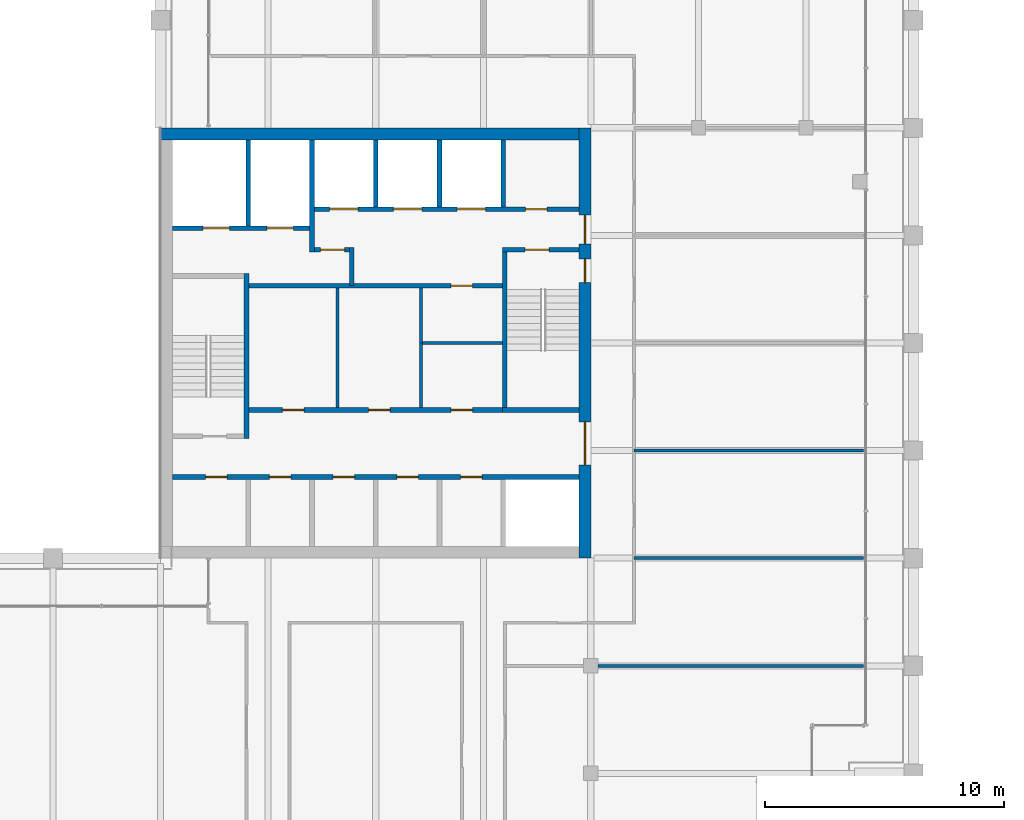
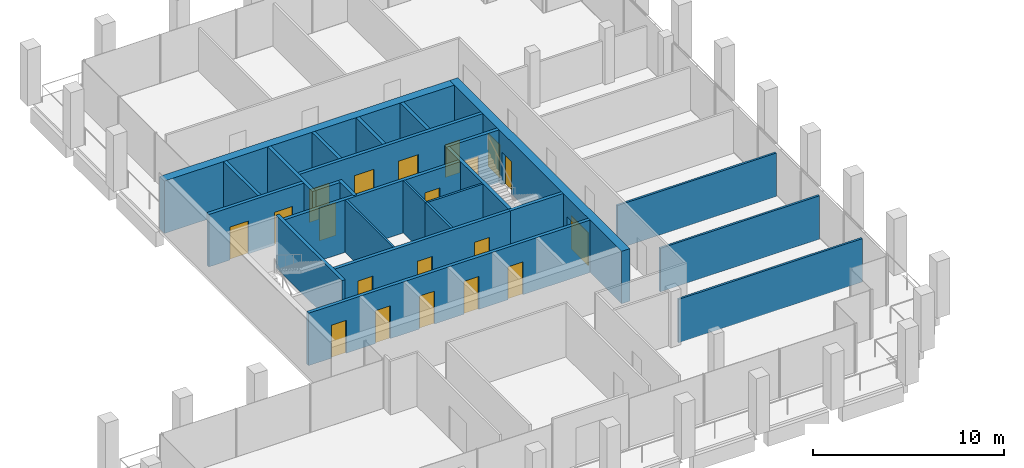
# One storey, part 55 of 62: 25 walls, 20 doors, 20 openings.
"""IFC4 building model written with IfcOpenShell, lengths in metres."""

from ifc_helpers import new_model, si_unit, direction, frame, frame_2d, origin, place, context, subcontext, project, spatial, rectangle, extrude, material, layer, layer_set, type_object, element, fill, save


model = new_model("IFC4")

# Units and contexts
model_context = context("Model", 3, precision=1e-05, world=origin(), true_north=direction((0.0, 1.0)))
body_context = subcontext(model_context, "Body", "Model", "MODEL_VIEW")
ifc_project = project(units=[si_unit("LENGTHUNIT", "METRE"), si_unit("AREAUNIT", "SQUARE_METRE"), si_unit("VOLUMEUNIT", "CUBIC_METRE"), si_unit("PLANEANGLEUNIT", "RADIAN"), si_unit("MASSUNIT", "GRAM", prefix="KILO")], contexts=[model_context])

# Site, building, storey
site_placement = place(None, origin())
site = spatial("IfcSite", under=ifc_project, at=site_placement, CompositionType="ELEMENT")
building_placement = place(site_placement, origin())
building = spatial("IfcBuilding", under=site, at=building_placement, Name="Altepetl Exchange Towers", CompositionType="ELEMENT")
storey_placement = place(building_placement, frame((0.0, 0.0, 210.0)))
storey = spatial("IfcBuildingStorey", under=building, at=storey_placement, Name="L53", CompositionType="ELEMENT", Elevation=210.0)

# Wall, openings, doors
ifc_material_1 = material(Name="Concrete C70/85", Category="concrete")
ifc_layer_1 = layer(ifc_material_1, 0.5)
ifc_layer_set_1 = layer_set([ifc_layer_1], Name="Concrete C70/85")
wall_type_1 = type_object("IfcWallType", Name="Core wall 500 reinforced concrete", PredefinedType="SHEAR", material=ifc_layer_set_1)
wall_1_placement = place(storey_placement, frame((58.25, 40.5, 0.0), z_axis=(0.0, 0.0, 1.0), x_axis=(0.0, 1.0, 0.0)))
wall_1 = element("IfcWall", 1, at=wall_1_placement, inside=storey, type_object=wall_type_1, Name="wall:A:L53:K-coreE", PredefinedType="SHEAR", context=body_context, shape_type="SweptSolid", body=[
    extrude(rectangle(XDim=18.0, YDim=0.5, at=frame_2d((9.0, 0.0))), origin(), (0.0, 0.0, 1.0), 3.35009765625),
])
opening_1_placement = place(wall_1_placement, frame((13.14990234375, 0.0, 0.0)))
opening_1 = element("IfcOpeningElement", 2, at=opening_1_placement, cuts=wall_1, Name="Opening L53.A60", PredefinedType="OPENING", context=body_context, shape_type="SweptSolid", body=[
    extrude(rectangle(XDim=1.199951171875, YDim=2.10009765625, at=frame_2d((0.60009765625, 1.050048828125))), frame((0.0, 0.260009765625, 0.0), z_axis=(0.0, -1.0, 0.0), x_axis=(1.0, 0.0, 0.0)), (0.0, 0.0, 1.0), 0.52001953125),
])
opening_2_placement = place(wall_1_placement, frame((3.89990234375, 0.0, 0.0)))
opening_2 = element("IfcOpeningElement", 3, at=opening_2_placement, cuts=wall_1, Name="Opening L53.A61", PredefinedType="OPENING", context=body_context, shape_type="SweptSolid", body=[
    extrude(rectangle(XDim=1.800048828125, YDim=2.10009765625, at=frame_2d((0.89990234375, 1.050048828125))), frame((0.0, 0.260009765625, 0.0), z_axis=(0.0, -1.0, 0.0), x_axis=(1.0, 0.0, 0.0)), (0.0, 0.0, 1.0), 0.52001953125),
])
opening_3_placement = place(wall_1_placement, frame((11.52490234375, 0.0, 0.0)))
opening_3 = element("IfcOpeningElement", 4, at=opening_3_placement, cuts=wall_1, Name="Opening L53.A64", PredefinedType="OPENING", context=body_context, shape_type="SweptSolid", body=[
    extrude(rectangle(XDim=1.0, YDim=2.10009765625, at=frame_2d((0.5, 1.050048828125))), frame((0.0, 0.260009765625, 0.0), z_axis=(0.0, -1.0, 0.0), x_axis=(1.0, 0.0, 0.0)), (0.0, 0.0, 1.0), 0.52001953125),
])
ifc_material_2 = material(Name="Steel and timber fire door", Category="steel")
door_type_1 = type_object("IfcDoorType", Name="Fire door 1000 x 2100 stair and lobby", OperationType="SINGLE_SWING_LEFT", PredefinedType="DOOR", material=ifc_material_2)
door_1_placement = place(opening_3_placement, origin())
door_1 = element("IfcDoor", 5, at=door_1_placement, inside=storey, type_object=door_type_1, Name="door:A:L53:K-dS2x", OperationType="SINGLE_SWING_RIGHT", OverallHeight=2.10009765625, OverallWidth=1.0, PredefinedType="DOOR", context=body_context, shape_type="SweptSolid", body=[
    extrude(rectangle(XDim=1.0, YDim=2.10009765625, at=frame_2d((0.5, 1.050048828125))), frame((0.0, 0.02490234375, 0.0), z_axis=(0.0, -1.0, 0.0), x_axis=(1.0, 0.0, 0.0)), (0.0, 0.0, 1.0), 0.050048828125),
])
fill(opening_3, door_1)
door_type_2 = type_object("IfcDoorType", Name="Fire door 1200 x 2100 lobby entry", OperationType="SINGLE_SWING_LEFT", PredefinedType="DOOR", material=ifc_material_2)
door_2_placement = place(opening_1_placement, origin())
door_2 = element("IfcDoor", 6, at=door_2_placement, inside=storey, type_object=door_type_2, Name="door:A:L53:K-dLNE", OperationType="SINGLE_SWING_RIGHT", OverallHeight=2.10009765625, OverallWidth=1.199951171875, PredefinedType="DOOR", context=body_context, shape_type="SweptSolid", body=[
    extrude(rectangle(XDim=1.199951171875, YDim=2.10009765625, at=frame_2d((0.60009765625, 1.050048828125))), frame((0.0, 0.02490234375, 0.0), z_axis=(0.0, -1.0, 0.0), x_axis=(1.0, 0.0, 0.0)), (0.0, 0.0, 1.0), 0.050048828125),
])
fill(opening_1, door_2)
door_type_3 = type_object("IfcDoorType", Name="Fire door 1800 x 2100 lobby entry", OperationType="DOUBLE_DOOR_SINGLE_SWING", PredefinedType="DOOR", material=ifc_material_2)
door_3_placement = place(opening_2_placement, origin())
door_3 = element("IfcDoor", 7, at=door_3_placement, inside=storey, type_object=door_type_3, Name="door:A:L53:K-dLSE", OperationType="DOUBLE_DOOR_SINGLE_SWING", OverallHeight=2.10009765625, OverallWidth=1.800048828125, PredefinedType="DOOR", context=body_context, shape_type="SweptSolid", body=[
    extrude(rectangle(XDim=1.800048828125, YDim=2.10009765625, at=frame_2d((0.89990234375, 1.050048828125))), frame((0.0, 0.02490234375, 0.0), z_axis=(0.0, -1.0, 0.0), x_axis=(1.0, 0.0, 0.0)), (0.0, 0.0, 1.0), 0.050048828125),
])
fill(opening_2, door_3)

# Walls
wall_2_placement = place(storey_placement, frame((40.5, 58.25, 0.0)))
element("IfcWall", 8, at=wall_2_placement, inside=storey, type_object=wall_type_1, Name="wall:A:L53:K-coreN", PredefinedType="SHEAR", context=body_context, shape_type="SweptSolid", body=[
    extrude(rectangle(XDim=17.5, YDim=0.5, at=frame_2d((8.75, 0.0))), origin(), (0.0, 0.0, 1.0), 3.35009765625),
])
ifc_material_3 = material(Name="Concrete blockwork", Category="masonry")
ifc_layer_2 = layer(ifc_material_3, 0.199951171875)
ifc_layer_set_2 = layer_set([ifc_layer_2], Name="Concrete blockwork")
wall_type_2 = type_object("IfcWallType", Name="Lobby wall 200 blockwork", PredefinedType="PARTITIONING", material=ifc_layer_set_2)
wall_3_placement = place(storey_placement, frame((48.5, 51.89990234375, 0.0), z_axis=(0.0, 0.0, 1.0), x_axis=(0.0, 1.0, 0.0)))
element("IfcWall", 9, at=wall_3_placement, inside=storey, type_object=wall_type_2, Name="wall:A:L53:K-ffE", PredefinedType="PARTITIONING", context=body_context, shape_type="SweptSolid", body=[
    extrude(rectangle(XDim=1.60009765625, YDim=0.199951171875, at=frame_2d((0.800048828125, 0.0))), origin(), (0.0, 0.0, 1.0), 3.35009765625),
])

# Wall, opening, door
wall_4_placement = place(storey_placement, frame((46.933349609375, 53.39990234375, 0.0)))
wall_4 = element("IfcWall", 10, at=wall_4_placement, inside=storey, type_object=wall_type_2, Name="wall:A:L53:K-ffN", PredefinedType="PARTITIONING", context=body_context, shape_type="SweptSolid", body=[
    extrude(rectangle(XDim=1.466552734375, YDim=0.199951171875, at=frame_2d((0.7333984375, 0.0))), origin(), (0.0, 0.0, 1.0), 3.35009765625),
])
opening_4_placement = place(wall_4_placement, frame((0.2666015625, 0.0, 0.0)))
opening_4 = element("IfcOpeningElement", 11, at=opening_4_placement, cuts=wall_4, Name="Opening L53.A65", PredefinedType="OPENING", context=body_context, shape_type="SweptSolid", body=[
    extrude(rectangle(XDim=1.0, YDim=2.10009765625, at=frame_2d((0.5, 1.050048828125))), frame((0.0, 0.10986328125, 0.0), z_axis=(0.0, -1.0, 0.0), x_axis=(1.0, 0.0, 0.0)), (0.0, 0.0, 1.0), 0.219970703125),
])
door_4_placement = place(opening_4_placement, frame((1.0, 0.0, 0.0), x_axis=(-1.0, 0.0, 0.0)))
door_4 = element("IfcDoor", 12, at=door_4_placement, inside=storey, type_object=door_type_1, Name="door:A:L53:K-dffN", OperationType="SINGLE_SWING_RIGHT", OverallHeight=2.10009765625, OverallWidth=1.0, PredefinedType="DOOR", context=body_context, shape_type="SweptSolid", body=[
    extrude(rectangle(XDim=1.0, YDim=2.10009765625, at=frame_2d((0.5, 1.050048828125))), frame((0.0, 0.02490234375, 0.0), z_axis=(0.0, -1.0, 0.0), x_axis=(1.0, 0.0, 0.0)), (0.0, 0.0, 1.0), 0.050048828125),
])
fill(opening_4, door_4)

wall_5_placement = place(storey_placement, frame((44.199951171875, 51.89990234375, 0.0)))
wall_5 = element("IfcWall", 13, at=wall_5_placement, inside=storey, type_object=wall_type_2, Name="wall:A:L53:K-zoneN", PredefinedType="PARTITIONING", context=body_context, shape_type="SweptSolid", body=[
    extrude(rectangle(XDim=10.60009765625, YDim=0.199951171875, at=frame_2d((5.300048828125, 0.0))), origin(), (0.0, 0.0, 1.0), 3.35009765625),
])
opening_5_placement = place(wall_5_placement, frame((8.449951171875, 0.0, 0.0)))
opening_5 = element("IfcOpeningElement", 14, at=opening_5_placement, cuts=wall_5, Name="Opening L53.A75", PredefinedType="OPENING", context=body_context, shape_type="SweptSolid", body=[
    extrude(rectangle(XDim=0.89990234375, YDim=2.10009765625, at=frame_2d((0.449951171875, 1.050048828125))), frame((0.0, 0.10986328125, 0.0), z_axis=(0.0, -1.0, 0.0), x_axis=(1.0, 0.0, 0.0)), (0.0, 0.0, 1.0), 0.219970703125),
])
door_type_4 = type_object("IfcDoorType", Name="Fire door 900 x 2100 service room", OperationType="SINGLE_SWING_LEFT", PredefinedType="DOOR", material=ifc_material_2)
door_5_placement = place(opening_5_placement, frame((0.89990234375, 0.0, 0.0), x_axis=(-1.0, 0.0, 0.0)))
door_5 = element("IfcDoor", 15, at=door_5_placement, inside=storey, type_object=door_type_4, Name="door:A:L53:K-dz4", OperationType="SINGLE_SWING_LEFT", OverallHeight=2.10009765625, OverallWidth=0.89990234375, PredefinedType="DOOR", context=body_context, shape_type="SweptSolid", body=[
    extrude(rectangle(XDim=0.89990234375, YDim=2.10009765625, at=frame_2d((0.449951171875, 1.050048828125))), frame((0.0, 0.02490234375, 0.0), z_axis=(0.0, -1.0, 0.0), x_axis=(1.0, 0.0, 0.0)), (0.0, 0.0, 1.0), 0.050048828125),
])
fill(opening_5, door_5)

# Wall, openings, doors
wall_6_placement = place(storey_placement, frame((44.199951171875, 46.699951171875, 0.0)))
wall_6 = element("IfcWall", 16, at=wall_6_placement, inside=storey, type_object=wall_type_2, Name="wall:A:L53:K-zoneS", PredefinedType="PARTITIONING", context=body_context, shape_type="SweptSolid", body=[
    extrude(rectangle(XDim=10.60009765625, YDim=0.199951171875, at=frame_2d((5.300048828125, 0.0))), origin(), (0.0, 0.0, 1.0), 3.35009765625),
])
opening_6_placement = place(wall_6_placement, frame((1.39990234375, 0.0, 0.0)))
opening_6 = element("IfcOpeningElement", 17, at=opening_6_placement, cuts=wall_6, Name="Opening L53.A72", PredefinedType="OPENING", context=body_context, shape_type="SweptSolid", body=[
    extrude(rectangle(XDim=0.89990234375, YDim=2.10009765625, at=frame_2d((0.449951171875, 1.050048828125))), frame((0.0, 0.10986328125, 0.0), z_axis=(0.0, -1.0, 0.0), x_axis=(1.0, 0.0, 0.0)), (0.0, 0.0, 1.0), 0.219970703125),
])
opening_7_placement = place(wall_6_placement, frame((5.0, 0.0, 0.0)))
opening_7 = element("IfcOpeningElement", 18, at=opening_7_placement, cuts=wall_6, Name="Opening L53.A73", PredefinedType="OPENING", context=body_context, shape_type="SweptSolid", body=[
    extrude(rectangle(XDim=0.89990234375, YDim=2.10009765625, at=frame_2d((0.449951171875, 1.050048828125))), frame((0.0, 0.10986328125, 0.0), z_axis=(0.0, -1.0, 0.0), x_axis=(1.0, 0.0, 0.0)), (0.0, 0.0, 1.0), 0.219970703125),
])
opening_8_placement = place(wall_6_placement, frame((8.449951171875, 0.0, 0.0)))
opening_8 = element("IfcOpeningElement", 19, at=opening_8_placement, cuts=wall_6, Name="Opening L53.A74", PredefinedType="OPENING", context=body_context, shape_type="SweptSolid", body=[
    extrude(rectangle(XDim=0.89990234375, YDim=2.10009765625, at=frame_2d((0.449951171875, 1.050048828125))), frame((0.0, 0.10986328125, 0.0), z_axis=(0.0, -1.0, 0.0), x_axis=(1.0, 0.0, 0.0)), (0.0, 0.0, 1.0), 0.219970703125),
])
door_6_placement = place(opening_6_placement, origin())
door_6 = element("IfcDoor", 20, at=door_6_placement, inside=storey, type_object=door_type_4, Name="door:A:L53:K-dz1", OperationType="SINGLE_SWING_LEFT", OverallHeight=2.10009765625, OverallWidth=0.89990234375, PredefinedType="DOOR", context=body_context, shape_type="SweptSolid", body=[
    extrude(rectangle(XDim=0.89990234375, YDim=2.10009765625, at=frame_2d((0.449951171875, 1.050048828125))), frame((0.0, 0.02490234375, 0.0), z_axis=(0.0, -1.0, 0.0), x_axis=(1.0, 0.0, 0.0)), (0.0, 0.0, 1.0), 0.050048828125),
])
fill(opening_6, door_6)
door_7_placement = place(opening_7_placement, origin())
door_7 = element("IfcDoor", 21, at=door_7_placement, inside=storey, type_object=door_type_4, Name="door:A:L53:K-dz2", OperationType="SINGLE_SWING_RIGHT", OverallHeight=2.10009765625, OverallWidth=0.89990234375, PredefinedType="DOOR", context=body_context, shape_type="SweptSolid", body=[
    extrude(rectangle(XDim=0.89990234375, YDim=2.10009765625, at=frame_2d((0.449951171875, 1.050048828125))), frame((0.0, 0.02490234375, 0.0), z_axis=(0.0, -1.0, 0.0), x_axis=(1.0, 0.0, 0.0)), (0.0, 0.0, 1.0), 0.050048828125),
])
fill(opening_7, door_7)
door_8_placement = place(opening_8_placement, origin())
door_8 = element("IfcDoor", 22, at=door_8_placement, inside=storey, type_object=door_type_4, Name="door:A:L53:K-dz3", OperationType="SINGLE_SWING_RIGHT", OverallHeight=2.10009765625, OverallWidth=0.89990234375, PredefinedType="DOOR", context=body_context, shape_type="SweptSolid", body=[
    extrude(rectangle(XDim=0.89990234375, YDim=2.10009765625, at=frame_2d((0.449951171875, 1.050048828125))), frame((0.0, 0.02490234375, 0.0), z_axis=(0.0, -1.0, 0.0), x_axis=(1.0, 0.0, 0.0)), (0.0, 0.0, 1.0), 0.050048828125),
])
fill(opening_8, door_8)

# Walls
ifc_material_4 = material(Name="Gypsum board on steel studs", Category="steel")
ifc_layer_3 = layer(ifc_material_4, 0.125)
ifc_layer_set_3 = layer_set([ifc_layer_3], Name="Gypsum board on steel studs")
wall_type_3 = type_object("IfcWallType", Name="Partition 125 gypsum board on steel studs", PredefinedType="PARTITIONING", material=ifc_layer_set_3)
wall_7_placement = place(storey_placement, frame((47.89990234375, 46.800048828125, 0.0), z_axis=(0.0, 0.0, 1.0), x_axis=(0.0, 1.0, 0.0)))
element("IfcWall", 23, at=wall_7_placement, inside=storey, type_object=wall_type_3, Name="wall:A:L53:K-zp1", PredefinedType="PARTITIONING", context=body_context, shape_type="SweptSolid", body=[
    extrude(rectangle(XDim=5.0, YDim=0.125, at=frame_2d((2.5, 0.0))), origin(), (0.0, 0.0, 1.0), 3.35009765625),
])
wall_8_placement = place(storey_placement, frame((51.39990234375, 46.800048828125, 0.0), z_axis=(0.0, 0.0, 1.0), x_axis=(0.0, 1.0, 0.0)))
element("IfcWall", 24, at=wall_8_placement, inside=storey, type_object=wall_type_3, Name="wall:A:L53:K-zp2", PredefinedType="PARTITIONING", context=body_context, shape_type="SweptSolid", body=[
    extrude(rectangle(XDim=2.762451171875, YDim=0.125, at=frame_2d((1.38134765625, 0.0))), origin(), (0.0, 0.0, 1.0), 3.35009765625),
])
wall_9_placement = place(storey_placement, frame((54.800048828125, 49.5, 0.0), z_axis=(0.0, 0.0, 1.0), x_axis=(-1.0, 0.0, 0.0)))
element("IfcWall", 25, at=wall_9_placement, inside=storey, type_object=wall_type_3, Name="wall:A:L53:K-zp3", PredefinedType="PARTITIONING", context=body_context, shape_type="SweptSolid", body=[
    extrude(rectangle(XDim=3.337646484375, YDim=0.125, at=frame_2d((1.6689453125, 0.0))), origin(), (0.0, 0.0, 1.0), 3.35009765625),
])
wall_10_placement = place(storey_placement, frame((51.39990234375, 49.5, 0.0), z_axis=(0.0, 0.0, 1.0), x_axis=(0.0, 1.0, 0.0)))
element("IfcWall", 26, at=wall_10_placement, inside=storey, type_object=wall_type_3, Name="wall:A:L53:K-zp4", PredefinedType="PARTITIONING", context=body_context, shape_type="SweptSolid", body=[
    extrude(rectangle(XDim=2.300048828125, YDim=0.125, at=frame_2d((1.14990234375, 0.0))), origin(), (0.0, 0.0, 1.0), 3.35009765625),
])
wall_11_placement = place(storey_placement, frame((58.800048828125, 36.0, 0.0)))
element("IfcWall", 27, at=wall_11_placement, inside=storey, type_object=wall_type_3, Name="wall:A:L53:P02", PredefinedType="PARTITIONING", context=body_context, shape_type="SweptSolid", body=[
    extrude(rectangle(XDim=11.099853515625, YDim=0.125, at=frame_2d((5.5498046875, 0.0))), origin(), (0.0, 0.0, 1.0), 2.77197265625),
])
for number, where, name in (
    (28, (60.300048828125, 40.5, 0.0), "wall:A:L53:P06"),
    (29, (60.300048828125, 45.0, 0.0), "wall:A:L53:P07"),
):
    element("IfcWall", number, at=place(storey_placement, frame(where)), inside=storey, type_object=wall_type_3, Name=name, PredefinedType="PARTITIONING", context=body_context, shape_type="SweptSolid", body=[
        extrude(rectangle(XDim=9.599853515625, YDim=0.125, at=frame_2d((4.7998046875, 0.0))), origin(), (0.0, 0.0, 1.0), 2.77197265625),
    ])
ifc_material_5 = material(Name="Concrete C40/50", Category="concrete")
ifc_layer_4 = layer(ifc_material_5, 0.199951171875)
ifc_layer_set_4 = layer_set([ifc_layer_4], Name="Concrete C40/50")
wall_type_4 = type_object("IfcWallType", Name="Shaft wall 200 reinforced concrete", PredefinedType="SHEAR", material=ifc_layer_set_4)
wall_12_placement = place(storey_placement, frame((44.166748046875, 58.0, 0.0), z_axis=(0.0, 0.0, 1.0), x_axis=(0.0, -1.0, 0.0)))
element("IfcWall", 30, at=wall_12_placement, inside=storey, type_object=wall_type_4, Name="wall:A:L53:K-divN1", PredefinedType="SHEAR", context=body_context, shape_type="SweptSolid", body=[
    extrude(rectangle(XDim=3.60009765625, YDim=0.199951171875, at=frame_2d((1.800048828125, 0.0))), origin(), (0.0, 0.0, 1.0), 3.35009765625),
])
wall_13_placement = place(storey_placement, frame((46.833251953125, 58.0, 0.0), z_axis=(0.0, 0.0, 1.0), x_axis=(0.0, -1.0, 0.0)))
element("IfcWall", 31, at=wall_13_placement, inside=storey, type_object=wall_type_4, Name="wall:A:L53:K-divN2", PredefinedType="SHEAR", context=body_context, shape_type="SweptSolid", body=[
    extrude(rectangle(XDim=4.699951171875, YDim=0.199951171875, at=frame_2d((2.35009765625, 0.0))), origin(), (0.0, 0.0, 1.0), 3.35009765625),
])
for number, where, z_axis, x_axis, name in (
    (32, (49.5, 58.0, 0.0), (0.0, 0.0, 1.0), (0.0, -1.0, 0.0), "wall:A:L53:K-divN3"),
    (33, (52.166748046875, 58.0, 0.0), (0.0, 0.0, 1.0), (0.0, -1.0, 0.0), "wall:A:L53:K-divN4"),
    (34, (54.833251953125, 58.0, 0.0), (0.0, 0.0, 1.0), (0.0, -1.0, 0.0), "wall:A:L53:K-divN5"),
):
    element("IfcWall", number, at=place(storey_placement, frame(where, z_axis=z_axis, x_axis=x_axis)), inside=storey, type_object=wall_type_4, Name=name, PredefinedType="SHEAR", context=body_context, shape_type="SweptSolid", body=[
        extrude(rectangle(XDim=2.800048828125, YDim=0.199951171875, at=frame_2d((1.39990234375, 0.0))), origin(), (0.0, 0.0, 1.0), 3.35009765625),
    ])

# Wall, openings, doors
wall_14_placement = place(storey_placement, frame((46.933349609375, 55.10009765625, 0.0)))
wall_14 = element("IfcWall", 35, at=wall_14_placement, inside=storey, type_object=wall_type_4, Name="wall:A:L53:K-frontNb", PredefinedType="SHEAR", context=body_context, shape_type="SweptSolid", body=[
    extrude(rectangle(XDim=11.066650390625, YDim=0.199951171875, at=frame_2d((5.533203125, 0.0))), origin(), (0.0, 0.0, 1.0), 3.35009765625),
])
opening_9_placement = place(wall_14_placement, frame((8.83349609375, 0.0, 0.0)))
opening_9 = element("IfcOpeningElement", 36, at=opening_9_placement, cuts=wall_14, Name="Opening L53.A66", PredefinedType="OPENING", context=body_context, shape_type="SweptSolid", body=[
    extrude(rectangle(XDim=0.89990234375, YDim=2.10009765625, at=frame_2d((0.449951171875, 1.050048828125))), frame((0.0, 0.10986328125, 0.0), z_axis=(0.0, -1.0, 0.0), x_axis=(1.0, 0.0, 0.0)), (0.0, 0.0, 1.0), 0.219970703125),
])
opening_10_placement = place(wall_14_placement, frame((0.63330078125, 0.0, 0.0)))
opening_10 = element("IfcOpeningElement", 37, at=opening_10_placement, cuts=wall_14, Name="Opening L53.A78", PredefinedType="OPENING", context=body_context, shape_type="SweptSolid", body=[
    extrude(rectangle(XDim=1.199951171875, YDim=2.10009765625, at=frame_2d((0.60009765625, 1.050048828125))), frame((0.0, 0.10986328125, 0.0), z_axis=(0.0, -1.0, 0.0), x_axis=(1.0, 0.0, 0.0)), (0.0, 0.0, 1.0), 0.219970703125),
])
opening_11_placement = place(wall_14_placement, frame((3.300048828125, 0.0, 0.0)))
opening_11 = element("IfcOpeningElement", 38, at=opening_11_placement, cuts=wall_14, Name="Opening L53.A79", PredefinedType="OPENING", context=body_context, shape_type="SweptSolid", body=[
    extrude(rectangle(XDim=1.199951171875, YDim=2.10009765625, at=frame_2d((0.60009765625, 1.050048828125))), frame((0.0, 0.10986328125, 0.0), z_axis=(0.0, -1.0, 0.0), x_axis=(1.0, 0.0, 0.0)), (0.0, 0.0, 1.0), 0.219970703125),
])
opening_12_placement = place(wall_14_placement, frame((5.966796875, 0.0, 0.0)))
opening_12 = element("IfcOpeningElement", 39, at=opening_12_placement, cuts=wall_14, Name="Opening L53.A80", PredefinedType="OPENING", context=body_context, shape_type="SweptSolid", body=[
    extrude(rectangle(XDim=1.199951171875, YDim=2.10009765625, at=frame_2d((0.60009765625, 1.050048828125))), frame((0.0, 0.10986328125, 0.0), z_axis=(0.0, -1.0, 0.0), x_axis=(1.0, 0.0, 0.0)), (0.0, 0.0, 1.0), 0.219970703125),
])
door_9_placement = place(opening_9_placement, origin())
door_9 = element("IfcDoor", 40, at=door_9_placement, inside=storey, type_object=door_type_4, Name="door:A:L53:K-driser", OperationType="SINGLE_SWING_RIGHT", OverallHeight=2.10009765625, OverallWidth=0.89990234375, PredefinedType="DOOR", context=body_context, shape_type="SweptSolid", body=[
    extrude(rectangle(XDim=0.89990234375, YDim=2.10009765625, at=frame_2d((0.449951171875, 1.050048828125))), frame((0.0, 0.02490234375, 0.0), z_axis=(0.0, -1.0, 0.0), x_axis=(1.0, 0.0, 0.0)), (0.0, 0.0, 1.0), 0.050048828125),
])
fill(opening_9, door_9)
ifc_material_6 = material(Name="Stainless steel", Category="steel")
door_type_5 = type_object("IfcDoorType", Name="Lift landing door 1200 x 2100", OperationType="SLIDING_TO_LEFT", PredefinedType="DOOR", material=ifc_material_6)
door_10_placement = place(opening_10_placement, origin())
door_10 = element("IfcDoor", 41, at=door_10_placement, inside=storey, type_object=door_type_5, Name="Landing door P5", OperationType="SLIDING_TO_LEFT", OverallHeight=2.10009765625, OverallWidth=1.199951171875, PredefinedType="DOOR", context=body_context, shape_type="SweptSolid", body=[
    extrude(rectangle(XDim=1.199951171875, YDim=2.10009765625, at=frame_2d((0.60009765625, 1.050048828125))), frame((0.0, 0.02490234375, 0.0), z_axis=(0.0, -1.0, 0.0), x_axis=(1.0, 0.0, 0.0)), (0.0, 0.0, 1.0), 0.050048828125),
])
fill(opening_10, door_10)
door_11_placement = place(opening_11_placement, origin())
door_11 = element("IfcDoor", 42, at=door_11_placement, inside=storey, type_object=door_type_5, Name="Landing door P6", OperationType="SLIDING_TO_LEFT", OverallHeight=2.10009765625, OverallWidth=1.199951171875, PredefinedType="DOOR", context=body_context, shape_type="SweptSolid", body=[
    extrude(rectangle(XDim=1.199951171875, YDim=2.10009765625, at=frame_2d((0.60009765625, 1.050048828125))), frame((0.0, 0.02490234375, 0.0), z_axis=(0.0, -1.0, 0.0), x_axis=(1.0, 0.0, 0.0)), (0.0, 0.0, 1.0), 0.050048828125),
])
fill(opening_11, door_11)
door_12_placement = place(opening_12_placement, origin())
door_12 = element("IfcDoor", 43, at=door_12_placement, inside=storey, type_object=door_type_5, Name="Landing door P7", OperationType="SLIDING_TO_LEFT", OverallHeight=2.10009765625, OverallWidth=1.199951171875, PredefinedType="DOOR", context=body_context, shape_type="SweptSolid", body=[
    extrude(rectangle(XDim=1.199951171875, YDim=2.10009765625, at=frame_2d((0.60009765625, 1.050048828125))), frame((0.0, 0.02490234375, 0.0), z_axis=(0.0, -1.0, 0.0), x_axis=(1.0, 0.0, 0.0)), (0.0, 0.0, 1.0), 0.050048828125),
])
fill(opening_12, door_12)

wall_15_placement = place(storey_placement, frame((41.0, 54.300048828125, 0.0)))
wall_15 = element("IfcWall", 44, at=wall_15_placement, inside=storey, type_object=wall_type_4, Name="wall:A:L53:K-frontNd", PredefinedType="SHEAR", context=body_context, shape_type="SweptSolid", body=[
    extrude(rectangle(XDim=5.7333984375, YDim=0.199951171875, at=frame_2d((2.86669921875, 0.0))), origin(), (0.0, 0.0, 1.0), 3.35009765625),
])
opening_13_placement = place(wall_15_placement, frame((1.283203125, 0.0, 0.0)))
opening_13 = element("IfcOpeningElement", 45, at=opening_13_placement, cuts=wall_15, Name="Opening L53.A76", PredefinedType="OPENING", context=body_context, shape_type="SweptSolid", body=[
    extrude(rectangle(XDim=1.10009765625, YDim=2.10009765625, at=frame_2d((0.550048828125, 1.050048828125))), frame((0.0, 0.10986328125, 0.0), z_axis=(0.0, -1.0, 0.0), x_axis=(1.0, 0.0, 0.0)), (0.0, 0.0, 1.0), 0.219970703125),
])
opening_14_placement = place(wall_15_placement, frame((3.949951171875, 0.0, 0.0)))
opening_14 = element("IfcOpeningElement", 46, at=opening_14_placement, cuts=wall_15, Name="Opening L53.A77", PredefinedType="OPENING", context=body_context, shape_type="SweptSolid", body=[
    extrude(rectangle(XDim=1.10009765625, YDim=2.10009765625, at=frame_2d((0.550048828125, 1.050048828125))), frame((0.0, 0.10986328125, 0.0), z_axis=(0.0, -1.0, 0.0), x_axis=(1.0, 0.0, 0.0)), (0.0, 0.0, 1.0), 0.219970703125),
])
door_type_6 = type_object("IfcDoorType", Name="Lift landing door 1100 x 2100", OperationType="SLIDING_TO_LEFT", PredefinedType="DOOR", material=ifc_material_6)
door_13_placement = place(opening_13_placement, origin())
door_13 = element("IfcDoor", 47, at=door_13_placement, inside=storey, type_object=door_type_6, Name="Landing door FFL1", OperationType="SLIDING_TO_LEFT", OverallHeight=2.10009765625, OverallWidth=1.10009765625, PredefinedType="DOOR", context=body_context, shape_type="SweptSolid", body=[
    extrude(rectangle(XDim=1.10009765625, YDim=2.10009765625, at=frame_2d((0.550048828125, 1.050048828125))), frame((0.0, 0.02490234375, 0.0), z_axis=(0.0, -1.0, 0.0), x_axis=(1.0, 0.0, 0.0)), (0.0, 0.0, 1.0), 0.050048828125),
])
fill(opening_13, door_13)
door_14_placement = place(opening_14_placement, origin())
door_14 = element("IfcDoor", 48, at=door_14_placement, inside=storey, type_object=door_type_6, Name="Landing door FFL2", OperationType="SLIDING_TO_LEFT", OverallHeight=2.10009765625, OverallWidth=1.10009765625, PredefinedType="DOOR", context=body_context, shape_type="SweptSolid", body=[
    extrude(rectangle(XDim=1.10009765625, YDim=2.10009765625, at=frame_2d((0.550048828125, 1.050048828125))), frame((0.0, 0.02490234375, 0.0), z_axis=(0.0, -1.0, 0.0), x_axis=(1.0, 0.0, 0.0)), (0.0, 0.0, 1.0), 0.050048828125),
])
fill(opening_14, door_14)

wall_16_placement = place(storey_placement, frame((41.0, 43.89990234375, 0.0)))
wall_16 = element("IfcWall", 49, at=wall_16_placement, inside=storey, type_object=wall_type_4, Name="wall:A:L53:K-frontS", PredefinedType="SHEAR", context=body_context, shape_type="SweptSolid", body=[
    extrude(rectangle(XDim=17.0, YDim=0.199951171875, at=frame_2d((8.5, 0.0))), origin(), (0.0, 0.0, 1.0), 3.35009765625),
])
opening_15_placement = place(wall_16_placement, frame((1.38330078125, 0.0, 0.0)))
opening_15 = element("IfcOpeningElement", 50, at=opening_15_placement, cuts=wall_16, Name="Opening L53.A67", PredefinedType="OPENING", context=body_context, shape_type="SweptSolid", body=[
    extrude(rectangle(XDim=0.89990234375, YDim=2.10009765625, at=frame_2d((0.449951171875, 1.050048828125))), frame((0.0, 0.10986328125, 0.0), z_axis=(0.0, -1.0, 0.0), x_axis=(1.0, 0.0, 0.0)), (0.0, 0.0, 1.0), 0.219970703125),
])
opening_16_placement = place(wall_16_placement, frame((4.050048828125, 0.0, 0.0)))
opening_16 = element("IfcOpeningElement", 51, at=opening_16_placement, cuts=wall_16, Name="Opening L53.A68", PredefinedType="OPENING", context=body_context, shape_type="SweptSolid", body=[
    extrude(rectangle(XDim=0.89990234375, YDim=2.10009765625, at=frame_2d((0.449951171875, 1.050048828125))), frame((0.0, 0.10986328125, 0.0), z_axis=(0.0, -1.0, 0.0), x_axis=(1.0, 0.0, 0.0)), (0.0, 0.0, 1.0), 0.219970703125),
])
opening_17_placement = place(wall_16_placement, frame((6.716796875, 0.0, 0.0)))
opening_17 = element("IfcOpeningElement", 52, at=opening_17_placement, cuts=wall_16, Name="Opening L53.A69", PredefinedType="OPENING", context=body_context, shape_type="SweptSolid", body=[
    extrude(rectangle(XDim=0.89990234375, YDim=2.10009765625, at=frame_2d((0.449951171875, 1.050048828125))), frame((0.0, 0.10986328125, 0.0), z_axis=(0.0, -1.0, 0.0), x_axis=(1.0, 0.0, 0.0)), (0.0, 0.0, 1.0), 0.219970703125),
])
opening_18_placement = place(wall_16_placement, frame((9.38330078125, 0.0, 0.0)))
opening_18 = element("IfcOpeningElement", 53, at=opening_18_placement, cuts=wall_16, Name="Opening L53.A70", PredefinedType="OPENING", context=body_context, shape_type="SweptSolid", body=[
    extrude(rectangle(XDim=0.89990234375, YDim=2.10009765625, at=frame_2d((0.449951171875, 1.050048828125))), frame((0.0, 0.10986328125, 0.0), z_axis=(0.0, -1.0, 0.0), x_axis=(1.0, 0.0, 0.0)), (0.0, 0.0, 1.0), 0.219970703125),
])
opening_19_placement = place(wall_16_placement, frame((12.050048828125, 0.0, 0.0)))
opening_19 = element("IfcOpeningElement", 54, at=opening_19_placement, cuts=wall_16, Name="Opening L53.A71", PredefinedType="OPENING", context=body_context, shape_type="SweptSolid", body=[
    extrude(rectangle(XDim=0.89990234375, YDim=2.10009765625, at=frame_2d((0.449951171875, 1.050048828125))), frame((0.0, 0.10986328125, 0.0), z_axis=(0.0, -1.0, 0.0), x_axis=(1.0, 0.0, 0.0)), (0.0, 0.0, 1.0), 0.219970703125),
])
door_15_placement = place(opening_15_placement, frame((0.89990234375, 0.0, 0.0), x_axis=(-1.0, 0.0, 0.0)))
door_15 = element("IfcDoor", 55, at=door_15_placement, inside=storey, type_object=door_type_4, Name="door:A:L53:K-dslotS0", OperationType="SINGLE_SWING_LEFT", OverallHeight=2.10009765625, OverallWidth=0.89990234375, PredefinedType="DOOR", context=body_context, shape_type="SweptSolid", body=[
    extrude(rectangle(XDim=0.89990234375, YDim=2.10009765625, at=frame_2d((0.449951171875, 1.050048828125))), frame((0.0, 0.02490234375, 0.0), z_axis=(0.0, -1.0, 0.0), x_axis=(1.0, 0.0, 0.0)), (0.0, 0.0, 1.0), 0.050048828125),
])
fill(opening_15, door_15)
door_16_placement = place(opening_16_placement, frame((0.89990234375, 0.0, 0.0), x_axis=(-1.0, 0.0, 0.0)))
door_16 = element("IfcDoor", 56, at=door_16_placement, inside=storey, type_object=door_type_4, Name="door:A:L53:K-dslotS1", OperationType="SINGLE_SWING_LEFT", OverallHeight=2.10009765625, OverallWidth=0.89990234375, PredefinedType="DOOR", context=body_context, shape_type="SweptSolid", body=[
    extrude(rectangle(XDim=0.89990234375, YDim=2.10009765625, at=frame_2d((0.449951171875, 1.050048828125))), frame((0.0, 0.02490234375, 0.0), z_axis=(0.0, -1.0, 0.0), x_axis=(1.0, 0.0, 0.0)), (0.0, 0.0, 1.0), 0.050048828125),
])
fill(opening_16, door_16)
door_17_placement = place(opening_17_placement, frame((0.89990234375, 0.0, 0.0), x_axis=(-1.0, 0.0, 0.0)))
door_17 = element("IfcDoor", 57, at=door_17_placement, inside=storey, type_object=door_type_4, Name="door:A:L53:K-dslotS2", OperationType="SINGLE_SWING_LEFT", OverallHeight=2.10009765625, OverallWidth=0.89990234375, PredefinedType="DOOR", context=body_context, shape_type="SweptSolid", body=[
    extrude(rectangle(XDim=0.89990234375, YDim=2.10009765625, at=frame_2d((0.449951171875, 1.050048828125))), frame((0.0, 0.02490234375, 0.0), z_axis=(0.0, -1.0, 0.0), x_axis=(1.0, 0.0, 0.0)), (0.0, 0.0, 1.0), 0.050048828125),
])
fill(opening_17, door_17)
door_18_placement = place(opening_18_placement, frame((0.89990234375, 0.0, 0.0), x_axis=(-1.0, 0.0, 0.0)))
door_18 = element("IfcDoor", 58, at=door_18_placement, inside=storey, type_object=door_type_4, Name="door:A:L53:K-dslotS3", OperationType="SINGLE_SWING_LEFT", OverallHeight=2.10009765625, OverallWidth=0.89990234375, PredefinedType="DOOR", context=body_context, shape_type="SweptSolid", body=[
    extrude(rectangle(XDim=0.89990234375, YDim=2.10009765625, at=frame_2d((0.449951171875, 1.050048828125))), frame((0.0, 0.02490234375, 0.0), z_axis=(0.0, -1.0, 0.0), x_axis=(1.0, 0.0, 0.0)), (0.0, 0.0, 1.0), 0.050048828125),
])
fill(opening_18, door_18)
door_19_placement = place(opening_19_placement, frame((0.89990234375, 0.0, 0.0), x_axis=(-1.0, 0.0, 0.0)))
door_19 = element("IfcDoor", 59, at=door_19_placement, inside=storey, type_object=door_type_4, Name="door:A:L53:K-dslotS4", OperationType="SINGLE_SWING_LEFT", OverallHeight=2.10009765625, OverallWidth=0.89990234375, PredefinedType="DOOR", context=body_context, shape_type="SweptSolid", body=[
    extrude(rectangle(XDim=0.89990234375, YDim=2.10009765625, at=frame_2d((0.449951171875, 1.050048828125))), frame((0.0, 0.02490234375, 0.0), z_axis=(0.0, -1.0, 0.0), x_axis=(1.0, 0.0, 0.0)), (0.0, 0.0, 1.0), 0.050048828125),
])
fill(opening_19, door_19)

# Wall
ifc_layer_5 = layer(ifc_material_5, 0.199951171875)
ifc_layer_set_5 = layer_set([ifc_layer_5], Name="Concrete C40/50")
wall_type_5 = type_object("IfcWallType", Name="Stair wall 200 reinforced concrete", PredefinedType="SHEAR", material=ifc_layer_set_5)
wall_17_placement = place(storey_placement, frame((44.10009765625, 45.5, 0.0), z_axis=(0.0, 0.0, 1.0), x_axis=(0.0, 1.0, 0.0)))
element("IfcWall", 60, at=wall_17_placement, inside=storey, type_object=wall_type_5, Name="wall:A:L53:K-stS1E", PredefinedType="SHEAR", context=body_context, shape_type="SweptSolid", body=[
    extrude(rectangle(XDim=6.89990234375, YDim=0.199951171875, at=frame_2d((3.449951171875, 0.0))), origin(), (0.0, 0.0, 1.0), 3.35009765625),
])

# Wall, opening, door
wall_18_placement = place(storey_placement, frame((54.800048828125, 53.39990234375, 0.0)))
wall_18 = element("IfcWall", 61, at=wall_18_placement, inside=storey, type_object=wall_type_5, Name="wall:A:L53:K-stS2N", PredefinedType="SHEAR", context=body_context, shape_type="SweptSolid", body=[
    extrude(rectangle(XDim=3.199951171875, YDim=0.199951171875, at=frame_2d((1.60009765625, 0.0))), origin(), (0.0, 0.0, 1.0), 3.35009765625),
])
opening_20_placement = place(wall_18_placement, frame((0.949951171875, 0.0, 0.0)))
opening_20 = element("IfcOpeningElement", 62, at=opening_20_placement, cuts=wall_18, Name="Opening L53.A63", PredefinedType="OPENING", context=body_context, shape_type="SweptSolid", body=[
    extrude(rectangle(XDim=1.0, YDim=2.10009765625, at=frame_2d((0.5, 1.050048828125))), frame((0.0, 0.10986328125, 0.0), z_axis=(0.0, -1.0, 0.0), x_axis=(1.0, 0.0, 0.0)), (0.0, 0.0, 1.0), 0.219970703125),
])
door_20_placement = place(opening_20_placement, frame((1.0, 0.0, 0.0), x_axis=(-1.0, 0.0, 0.0)))
door_20 = element("IfcDoor", 63, at=door_20_placement, inside=storey, type_object=door_type_1, Name="door:A:L53:K-dS2in", OperationType="SINGLE_SWING_LEFT", OverallHeight=2.10009765625, OverallWidth=1.0, PredefinedType="DOOR", context=body_context, shape_type="SweptSolid", body=[
    extrude(rectangle(XDim=1.0, YDim=2.10009765625, at=frame_2d((0.5, 1.050048828125))), frame((0.0, 0.02490234375, 0.0), z_axis=(0.0, -1.0, 0.0), x_axis=(1.0, 0.0, 0.0)), (0.0, 0.0, 1.0), 0.050048828125),
])
fill(opening_20, door_20)

# Walls
wall_19_placement = place(storey_placement, frame((54.800048828125, 46.699951171875, 0.0)))
element("IfcWall", 64, at=wall_19_placement, inside=storey, type_object=wall_type_5, Name="wall:A:L53:K-stS2S", PredefinedType="SHEAR", context=body_context, shape_type="SweptSolid", body=[
    extrude(rectangle(XDim=3.199951171875, YDim=0.199951171875, at=frame_2d((1.60009765625, 0.0))), origin(), (0.0, 0.0, 1.0), 3.35009765625),
])
wall_20_placement = place(storey_placement, frame((54.89990234375, 46.800048828125, 0.0), z_axis=(0.0, 0.0, 1.0), x_axis=(0.0, 1.0, 0.0)))
element("IfcWall", 65, at=wall_20_placement, inside=storey, type_object=wall_type_5, Name="wall:A:L53:K-stS2W", PredefinedType="SHEAR", context=body_context, shape_type="SweptSolid", body=[
    extrude(rectangle(XDim=6.5, YDim=0.199951171875, at=frame_2d((3.25, 0.0))), origin(), (0.0, 0.0, 1.0), 3.35009765625),
])

save(model, "model.ifc")
